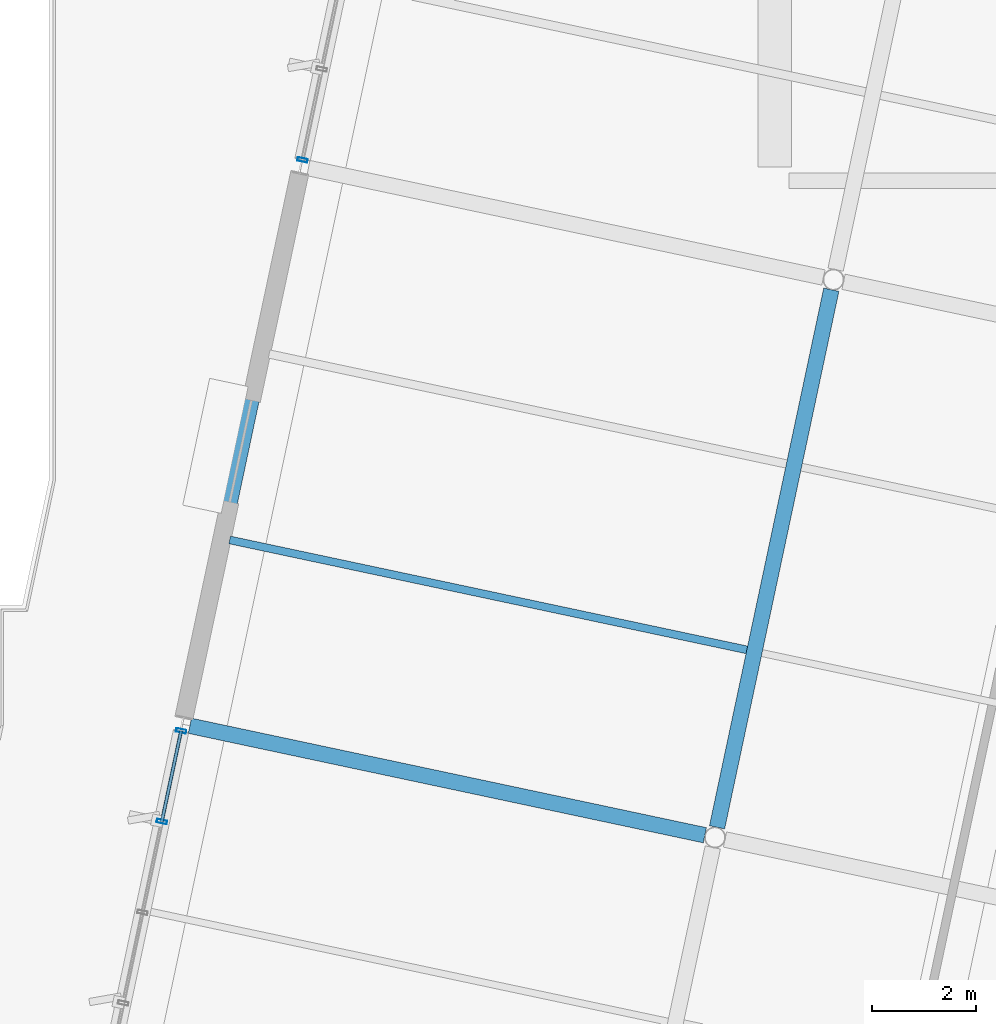
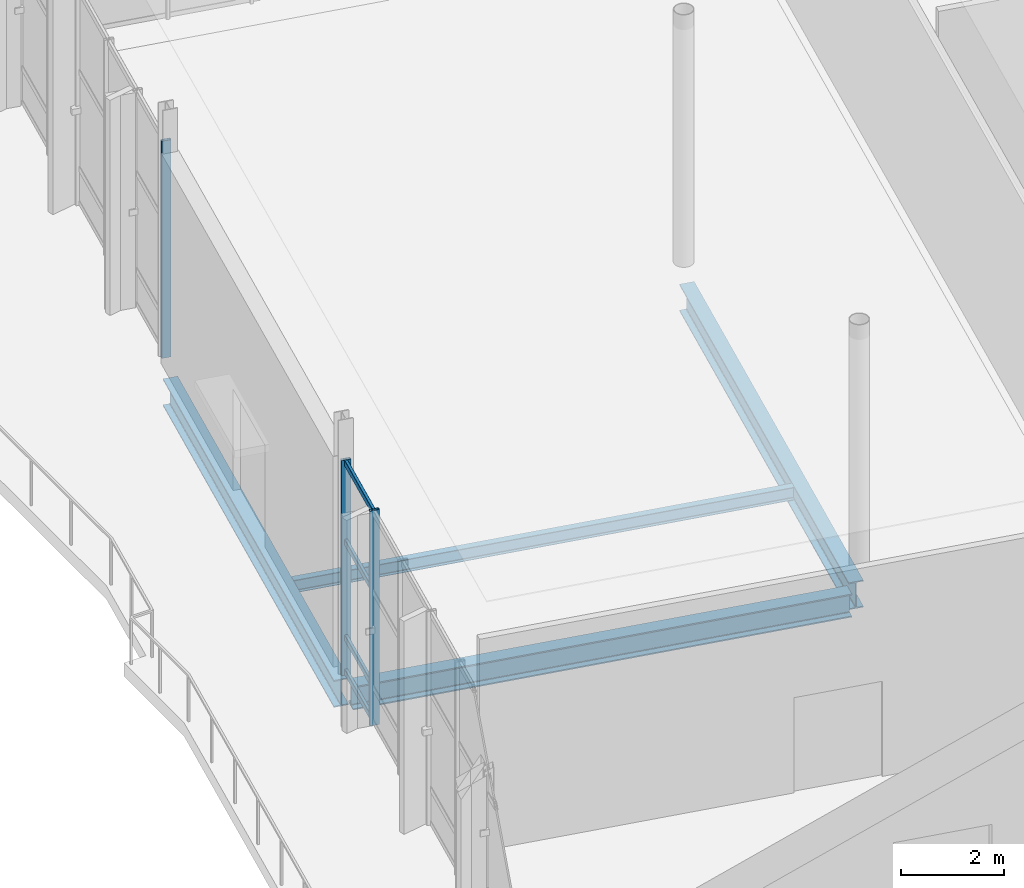
# One storey, part 43 of 163: 7 members, 4 beams, 2 elements without a shape of their own.
"""IFC4 building model written with IfcOpenShell, lengths in metres."""

from ifc_helpers import new_model, si_unit, direction, frame, origin, origin_2d, place, context, subcontext, project, spatial, hollow_rectangle, i_section, extrude, material, layer, layer_set, material_profile, profile_set, type_object, element, aggregate, save


model = new_model("IFC4")

# Units and contexts
model_context = context("Model", 3, precision=1e-05, world=origin(), true_north=direction((0.0, 1.0)))
body_context = subcontext(model_context, "Body", "Model", "MODEL_VIEW")
ifc_project = project(units=[si_unit("LENGTHUNIT", "METRE"), si_unit("AREAUNIT", "SQUARE_METRE"), si_unit("VOLUMEUNIT", "CUBIC_METRE"), si_unit("PLANEANGLEUNIT", "RADIAN"), si_unit("MASSUNIT", "GRAM", prefix="KILO")], contexts=[model_context])

# Site, building, storey
site_placement = place(None, origin())
site = spatial("IfcSite", under=ifc_project, at=site_placement, CompositionType="ELEMENT")
building_placement = place(site_placement, origin())
building = spatial("IfcBuilding", under=site, at=building_placement, Name="Khorjan Park Terminus", CompositionType="ELEMENT")
storey_placement = place(building_placement, origin())
storey = spatial("IfcBuildingStorey", under=building, at=storey_placement, Name="L00", CompositionType="ELEMENT", Elevation=0.0)

# Beams
ifc_material_1 = material(Name="Steel S355", Category="steel")
ifc_material_profile_1 = material_profile(ifc_material_1, i_section(OverallWidth=0.3, OverallDepth=0.64, WebThickness=0.0135, FlangeThickness=0.026, FilletRadius=0.027, at=origin_2d()), Name="HEA 650")
ifc_profile_set_1 = profile_set([ifc_material_profile_1], Name="Steel S355")
beam_type_1 = type_object("IfcBeamType", Name="BM-HEA650", PredefinedType="BEAM", material=ifc_profile_set_1)
beam_1_placement = place(storey_placement, frame((-1.3958, 63.6611, -0.66), z_axis=(0.207909789374, 0.978148004896, 0.0), x_axis=(-0.978148004896, 0.207909789374, 0.0)))
element("IfcBeam", 1, at=beam_1_placement, inside=storey, type_object=beam_type_1, Name="Primary skew-grid floor girder SB-A65 (L00)", PredefinedType="BEAM", context=body_context, shape_type="SweptSolid", body=[
    extrude(i_section(OverallWidth=0.3, OverallDepth=0.64, WebThickness=0.0135, FlangeThickness=0.026, FilletRadius=0.027, at=origin_2d()), origin(), (0.0, 0.0, 1.0), 10.7099),
])
beam_2_placement = place(storey_placement, frame((8.8858, 61.53, -0.66), z_axis=(0.207910301084, 0.97814789613, 0.0), x_axis=(-0.97814789613, 0.207910301084, 0.0)))
element("IfcBeam", 2, at=beam_2_placement, inside=storey, type_object=beam_type_1, Name="Primary skew-grid floor girder SB-A65 (L00)", PredefinedType="BEAM", context=body_context, shape_type="SweptSolid", body=[
    extrude(i_section(OverallWidth=0.3, OverallDepth=0.64, WebThickness=0.0135, FlangeThickness=0.026, FilletRadius=0.027, at=origin_2d()), origin(), (0.0, 0.0, 1.0), 10.6036),
])
ifc_material_profile_2 = material_profile(ifc_material_1, i_section(OverallWidth=0.3, OverallDepth=0.55, WebThickness=0.015, FlangeThickness=0.029, FilletRadius=0.027, at=origin_2d()), Name="HEB 550")
ifc_profile_set_2 = profile_set([ifc_material_profile_2], Name="Steel S355")
beam_type_2 = type_object("IfcBeamType", Name="BM-HEB550", PredefinedType="BEAM", material=ifc_profile_set_2)
beam_3_placement = place(storey_placement, frame((-1.2841, 63.4891, -0.635), z_axis=(0.97814773947, -0.207911038112, 0.0), x_axis=(0.207911038112, 0.97814773947, 0.0)))
element("IfcBeam", 3, at=beam_3_placement, inside=storey, type_object=beam_type_2, Name="Primary skew-grid floor girder SB-B55 (L00)", PredefinedType="BEAM", context=body_context, shape_type="SweptSolid", body=[
    extrude(i_section(OverallWidth=0.3, OverallDepth=0.55, WebThickness=0.015, FlangeThickness=0.029, FilletRadius=0.027, at=origin_2d()), origin(), (0.0, 0.0, 1.0), 10.1567),
])
ifc_material_profile_3 = material_profile(ifc_material_1, i_section(OverallWidth=0.15, OverallDepth=0.3, WebThickness=0.0071, FlangeThickness=0.0107, FilletRadius=0.015, at=origin_2d()), Name="IPE 300")
ifc_profile_set_3 = profile_set([ifc_material_profile_3], Name="Steel S355")
beam_type_3 = type_object("IfcBeamType", Name="JS-IPE300", PredefinedType="JOIST", material=ifc_profile_set_3)
beam_4_placement = place(storey_placement, frame((-0.5169, 67.0746, -0.49), z_axis=(0.978147562282, -0.207911871719, 0.0), x_axis=(0.207911871719, 0.978147562282, 0.0)))
element("IfcBeam", 4, at=beam_4_placement, inside=storey, type_object=beam_type_3, Name="Secondary composite floor joist SJ-30 (L00)", PredefinedType="JOIST", context=body_context, shape_type="SweptSolid", body=[
    extrude(i_section(OverallWidth=0.15, OverallDepth=0.3, WebThickness=0.0071, FlangeThickness=0.0107, FilletRadius=0.015, at=origin_2d()), origin(), (0.0, 0.0, 1.0), 10.2),
])

# Curtain wall, member
ifc_material_2 = material(Name="Anodized Bronze Aluminium", Category="aluminium")
ifc_layer = layer(ifc_material_2, 0.22)
ifc_layer_set = layer_set([ifc_layer], Name="Anodized Bronze Aluminium")
curtain_wall_type = type_object("IfcCurtainWallType", Name="CW-PAV-C", PredefinedType="NOTDEFINED", material=ifc_layer_set)
curtain_wall_1_placement = place(storey_placement, origin())
curtain_wall_1 = element("IfcCurtainWall", 5, at=curtain_wall_1_placement, inside=storey, type_object=curtain_wall_type, Name="Unitized curtain wall CW-C (CW-V4-W-L00-B01)", PredefinedType="NOTDEFINED")
ifc_material_profile_4 = material_profile(ifc_material_2, hollow_rectangle(XDim=0.07, YDim=0.2, WallThickness=0.005, InnerFilletRadius=0.005, OuterFilletRadius=0.01, at=origin_2d()), Name="ALM 70x200x5")
ifc_profile_set_4 = profile_set([ifc_material_profile_4], Name="Anodized Bronze Aluminium")
member_type_1 = type_object("IfcMemberType", Name="ML-ALM-200", PredefinedType="MULLION", material=ifc_profile_set_4)
member_1_placement = place(storey_placement, frame((0.8881, 74.4061, -0.035), z_axis=(0.0, 0.0, 1.0), x_axis=(-0.207916776669, -0.978146519689, 0.0)))
member_1 = element("IfcMember", 6, at=member_1_placement, type_object=member_type_1, Name="Curtain-wall mullion ML-20 (CW-V4-W-L00-B01-6)", PredefinedType="MULLION", context=body_context, shape_type="SweptSolid", body=[
    extrude(hollow_rectangle(XDim=0.07, YDim=0.2, WallThickness=0.005, InnerFilletRadius=0.005, OuterFilletRadius=0.01, at=origin_2d()), origin(), (0.0, 0.0, 1.0), 5.135),
])
aggregate(curtain_wall_1, [member_1])

# Curtain wall, members
curtain_wall_2_placement = place(storey_placement, origin())
curtain_wall_2 = element("IfcCurtainWall", 7, at=curtain_wall_2_placement, inside=storey, type_object=curtain_wall_type, Name="Unitized curtain wall CW-C (CW-V4-W-L00-B03)", PredefinedType="NOTDEFINED")
member_2_placement = place(storey_placement, frame((-1.453, 63.3918, -0.035), z_axis=(0.0, 0.0, 1.0), x_axis=(-0.207916776669, -0.978146519689, 0.0)))
member_2 = element("IfcMember", 8, at=member_2_placement, type_object=member_type_1, Name="Curtain-wall mullion ML-20 (CW-V4-W-L00-B03-0)", PredefinedType="MULLION", context=body_context, shape_type="SweptSolid", body=[
    extrude(hollow_rectangle(XDim=0.07, YDim=0.2, WallThickness=0.005, InnerFilletRadius=0.005, OuterFilletRadius=0.01, at=origin_2d()), origin(), (0.0, 0.0, 1.0), 5.085),
])
member_3_placement = place(storey_placement, frame((-1.8252, 61.641, -0.035), z_axis=(0.0, 0.0, 1.0), x_axis=(-0.207916776669, -0.978146519689, 0.0)))
member_3 = element("IfcMember", 9, at=member_3_placement, type_object=member_type_1, Name="Curtain-wall mullion ML-20 (CW-V4-W-L00-B03-1)", PredefinedType="MULLION", context=body_context, shape_type="SweptSolid", body=[
    extrude(hollow_rectangle(XDim=0.07, YDim=0.2, WallThickness=0.005, InnerFilletRadius=0.005, OuterFilletRadius=0.01, at=origin_2d()), origin(), (0.0, 0.0, 1.0), 5.085),
])
ifc_material_profile_5 = material_profile(ifc_material_2, hollow_rectangle(XDim=0.065, YDim=0.14, WallThickness=0.004, InnerFilletRadius=0.004, OuterFilletRadius=0.008, at=origin_2d()), Name="ALT 65x140x4")
ifc_profile_set_5 = profile_set([ifc_material_profile_5], Name="Anodized Bronze Aluminium")
member_type_2 = type_object("IfcMemberType", Name="TR-ALT-140", PredefinedType="USERDEFINED", material=ifc_profile_set_5)
member_4_placement = place(storey_placement, frame((-1.453, 63.3918, 0.04), z_axis=(-0.207941609461, -0.978141240852, 0.0), x_axis=(0.978141240852, -0.207941609461, 0.0)))
member_4 = element("IfcMember", 10, at=member_4_placement, type_object=member_type_2, Name="Curtain-wall transom TR-14 (CW-V4-W-L00-B03-0-1)", ObjectType="TRANSOM", PredefinedType="USERDEFINED", context=body_context, shape_type="SweptSolid", body=[
    extrude(hollow_rectangle(XDim=0.065, YDim=0.14, WallThickness=0.004, InnerFilletRadius=0.004, OuterFilletRadius=0.008, at=origin_2d()), origin(), (0.0, 0.0, 1.0), 1.7899),
])
member_5_placement = place(storey_placement, frame((-1.453, 63.3918, 0.85), z_axis=(-0.207941609461, -0.978141240852, 0.0), x_axis=(0.978141240852, -0.207941609461, 0.0)))
member_5 = element("IfcMember", 11, at=member_5_placement, type_object=member_type_2, Name="Curtain-wall transom TR-14 (CW-V4-W-L00-B03-0-2)", ObjectType="TRANSOM", PredefinedType="USERDEFINED", context=body_context, shape_type="SweptSolid", body=[
    extrude(hollow_rectangle(XDim=0.065, YDim=0.14, WallThickness=0.004, InnerFilletRadius=0.004, OuterFilletRadius=0.008, at=origin_2d()), origin(), (0.0, 0.0, 1.0), 1.7899),
])
member_6_placement = place(storey_placement, frame((-1.453, 63.3918, 3.1093), z_axis=(-0.207941609461, -0.978141240852, 0.0), x_axis=(0.978141240852, -0.207941609461, 0.0)))
member_6 = element("IfcMember", 12, at=member_6_placement, type_object=member_type_2, Name="Curtain-wall transom TR-14 (CW-V4-W-L00-B03-0-3)", ObjectType="TRANSOM", PredefinedType="USERDEFINED", context=body_context, shape_type="SweptSolid", body=[
    extrude(hollow_rectangle(XDim=0.065, YDim=0.14, WallThickness=0.004, InnerFilletRadius=0.004, OuterFilletRadius=0.008, at=origin_2d()), origin(), (0.0, 0.0, 1.0), 1.7899),
])
member_7_placement = place(storey_placement, frame((-1.453, 63.3918, 4.975), z_axis=(-0.207941609461, -0.978141240852, 0.0), x_axis=(0.978141240852, -0.207941609461, 0.0)))
member_7 = element("IfcMember", 13, at=member_7_placement, type_object=member_type_2, Name="Curtain-wall transom TR-14 (CW-V4-W-L00-B03-0-4)", ObjectType="TRANSOM", PredefinedType="USERDEFINED", context=body_context, shape_type="SweptSolid", body=[
    extrude(hollow_rectangle(XDim=0.065, YDim=0.14, WallThickness=0.004, InnerFilletRadius=0.004, OuterFilletRadius=0.008, at=origin_2d()), origin(), (0.0, 0.0, 1.0), 1.7899),
])
aggregate(curtain_wall_2, [member_2, member_3, member_4, member_5, member_6, member_7])

save(model, "model.ifc")
